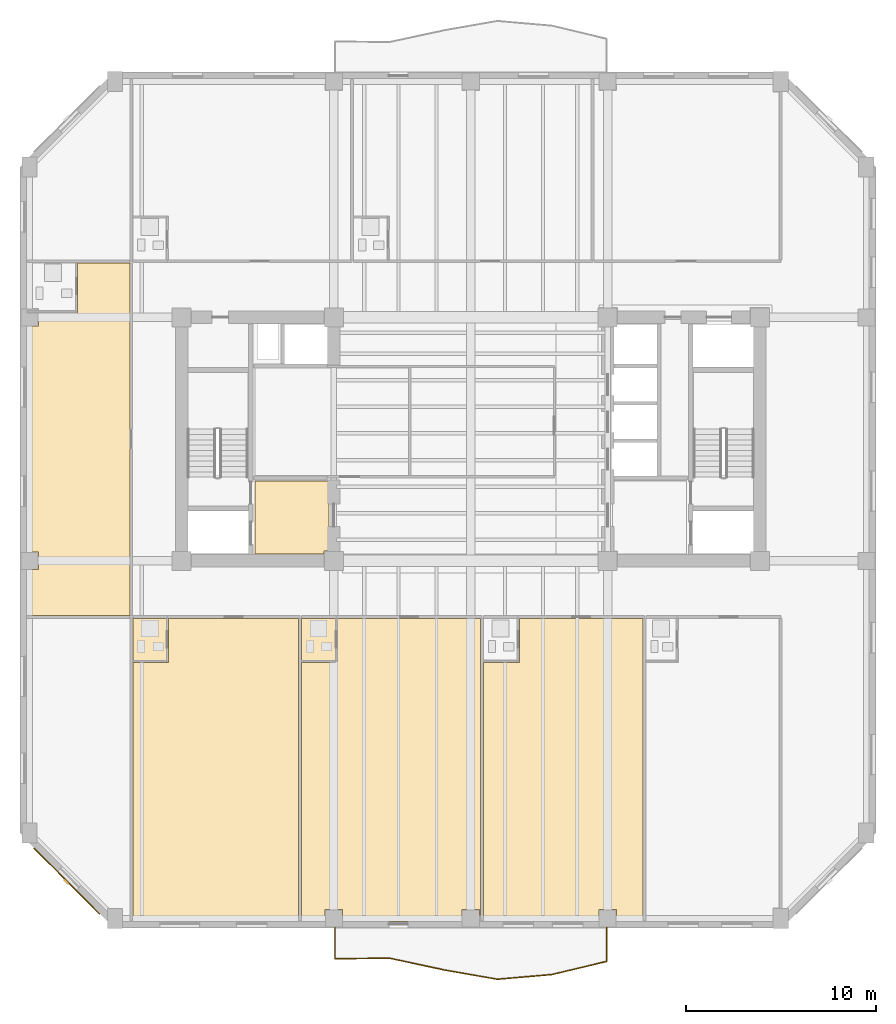
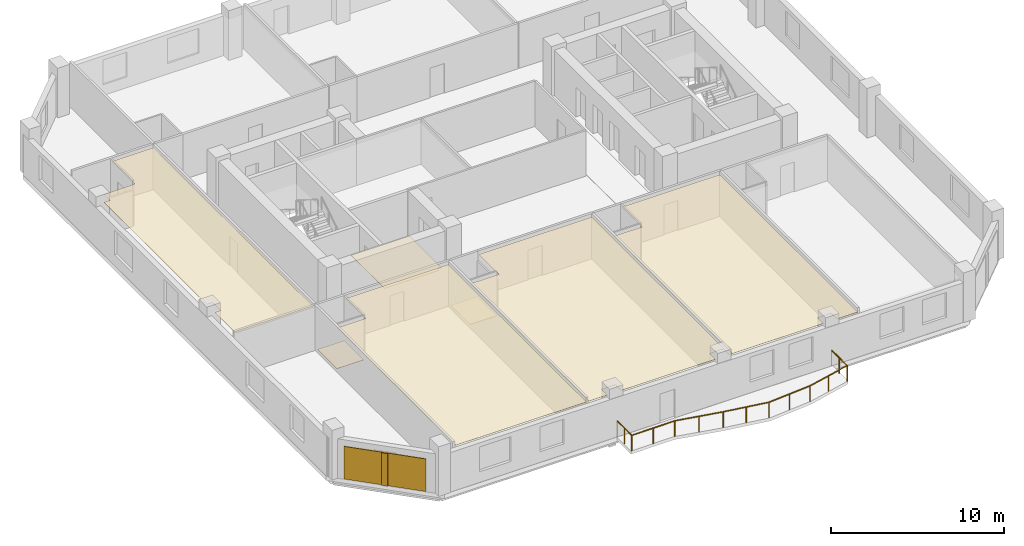
# One storey, part 6 of 10: 8 coverings, 1 railing, 1 shading device.
"""IFC4 building model written with IfcOpenShell, lengths in metres."""

from ifc_helpers import new_model, si_unit, direction, frame, origin, origin_2d, place, context, subcontext, project, spatial, polyline, rectangle, circle, outline, extrude, material, layer, layer_set, type_object, element, save


model = new_model("IFC4")

# Units and contexts
model_context = context("Model", 3, precision=1e-05, world=origin(), true_north=direction((0.0, 1.0)))
body_context = subcontext(model_context, "Body", "Model", "MODEL_VIEW")
ifc_project = project(units=[si_unit("LENGTHUNIT", "METRE"), si_unit("AREAUNIT", "SQUARE_METRE"), si_unit("VOLUMEUNIT", "CUBIC_METRE"), si_unit("PLANEANGLEUNIT", "RADIAN"), si_unit("MASSUNIT", "GRAM", prefix="KILO")], contexts=[model_context])

# Site, building, storey
site_placement = place(None, origin())
site = spatial("IfcSite", under=ifc_project, at=site_placement, CompositionType="ELEMENT")
building_placement = place(site_placement, origin())
building = spatial("IfcBuilding", under=site, at=building_placement, Name="Kranthara Brick Stack", CompositionType="ELEMENT")
storey_placement = place(building_placement, frame((0.0, 0.0, 127.300048828125)))
storey = spatial("IfcBuildingStorey", under=building, at=storey_placement, Name="L31", CompositionType="ELEMENT", Elevation=127.300048828125)

# Coverings
ifc_material_1 = material(Name="Perforated mineral-fibre acoustic ceiling tile", Category="other")
ifc_layer_1 = layer(ifc_material_1, 0.02490234375)
ifc_layer_set_1 = layer_set([ifc_layer_1], Name="Perforated mineral-fibre acoustic ceiling tile")
covering_type_1 = type_object("IfcCoveringType", Name="COV-CEIL-ACOUSTIC", PredefinedType="CEILING", material=ifc_layer_set_1)
covering_1_placement = place(storey_placement, frame((0.0, 0.0, 2.929931640625)))
element("IfcCovering", 1, at=covering_1_placement, inside=storey, type_object=covering_type_1, Name="L31 Room L31-01 Corner Junior Suite Acoustic Ceiling", PredefinedType="CEILING", context=body_context, shape_type="SweptSolid", body=[
    extrude(outline(polyline([(10.22998046875, 1.800048828125), (18.948974609375, 1.800048828125), (18.948974609375, 17.77001953125), (12.110107421875, 17.77001953125), (12.110107421875, 15.4599609375), (10.22998046875, 15.4599609375), (10.22998046875, 1.800048828125)])), origin(), (0.0, 0.0, 1.0), 0.02490234375),
])
covering_2_placement = place(storey_placement, frame((0.0, 0.0, 2.929931640625)))
element("IfcCovering", 2, at=covering_2_placement, inside=storey, type_object=covering_type_1, Name="L31 Room L31-02 Corner Junior Suite Acoustic Ceiling", PredefinedType="CEILING", context=body_context, shape_type="SweptSolid", body=[
    extrude(outline(polyline([(19.10888671875, 15.4599609375), (20.989013671875, 15.4599609375), (20.989013671875, 17.77001953125), (28.510986328125, 17.77001953125), (28.510986328125, 1.800048828125), (28.4599609375, 1.800048828125), (28.4599609375, 2.4599609375), (27.5400390625, 2.4599609375), (27.5400390625, 1.800048828125), (21.260009765625, 1.800048828125), (21.260009765625, 2.4599609375), (20.340087890625, 2.4599609375), (20.340087890625, 1.800048828125), (19.10888671875, 1.800048828125), (19.10888671875, 15.4599609375)])), origin(), (0.0, 0.0, 1.0), 0.02490234375),
])
covering_3_placement = place(storey_placement, frame((0.0, 0.0, 2.929931640625)))
element("IfcCovering", 3, at=covering_3_placement, inside=storey, type_object=covering_type_1, Name="L31 Room L31-03 Corner Junior Suite Acoustic Ceiling", PredefinedType="CEILING", context=body_context, shape_type="SweptSolid", body=[
    extrude(outline(polyline([(28.6708984375, 1.800048828125), (28.6708984375, 15.4599609375), (30.551025390625, 15.4599609375), (30.551025390625, 17.77001953125), (37.049072265625, 17.77001953125), (37.049072265625, 1.800048828125), (35.659912109375, 1.800048828125), (35.659912109375, 2.4599609375), (34.739990234375, 2.4599609375), (34.739990234375, 1.800048828125), (28.6708984375, 1.800048828125)])), origin(), (0.0, 0.0, 1.0), 0.02490234375),
])
covering_4_placement = place(storey_placement, frame((0.0, 0.0, 2.929931640625)))
element("IfcCovering", 4, at=covering_4_placement, inside=storey, type_object=covering_type_1, Name="L31 Room L31-08 Corner Junior Suite Acoustic Ceiling", PredefinedType="CEILING", context=body_context, shape_type="SweptSolid", body=[
    extrude(outline(polyline([(7.330078125, 33.840087890625), (7.330078125, 36.469970703125), (10.080078125, 36.469970703125), (10.080078125, 17.929931640625), (4.8701171875, 17.929931640625), (4.8701171875, 20.340087890625), (5.260009765625, 20.340087890625), (5.260009765625, 21.260009765625), (4.8701171875, 21.260009765625), (4.8701171875, 33.139892578125), (5.260009765625, 33.139892578125), (5.260009765625, 33.840087890625), (7.330078125, 33.840087890625)])), origin(), (0.0, 0.0, 1.0), 0.02490234375),
])
ifc_material_2 = material(Name="Warm buff kiln-fired brick slip rainscreen", Category="masonry")
ifc_layer_2 = layer(ifc_material_2, 0.044921875)
ifc_layer_set_2 = layer_set([ifc_layer_2], Name="Warm buff kiln-fired brick slip rainscreen")
covering_type_2 = type_object("IfcCoveringType", Name="COV-CLAD-BRICK", PredefinedType="CLADDING", material=ifc_layer_set_2)
covering_5_placement = place(storey_placement, frame((6.759521484375, 3.959716796875, 0.0498046875), z_axis=(0.0, 0.0, 1.0), x_axis=(-0.707106781187, 0.707106781187, 0.0)))
element("IfcCovering", 5, at=covering_5_placement, inside=storey, type_object=covering_type_2, Name="L31 Chamfer Brick Rainscreen Cladding SW", PredefinedType="CLADDING", context=body_context, shape_type="SweptSolid", body=[
    extrude(rectangle(XDim=4.89306640625, YDim=0.044921875, at=origin_2d()), origin(), (0.0, 0.0, 1.0), 2.300048828125),
])
ifc_material_3 = material(Name="Honed terrazzo and porcelain floor finish", Category="stone")
ifc_layer_3 = layer(ifc_material_3, 0.030029296875)
ifc_layer_set_3 = layer_set([ifc_layer_3], Name="Honed terrazzo and porcelain floor finish")
covering_type_3 = type_object("IfcCoveringType", Name="COV-FLOR-STONE", PredefinedType="FLOORING", material=ifc_layer_set_3)
covering_6_placement = place(storey_placement, origin())
element("IfcCovering", 6, at=covering_6_placement, inside=storey, type_object=covering_type_3, Name="L31 Lift Lobby Stone Flooring", PredefinedType="FLOORING", context=body_context, shape_type="SweptSolid", body=[
    extrude(outline(polyline([(16.64990234375, 21.14990234375), (16.64990234375, 25.0), (20.550048828125, 25.0), (20.550048828125, 21.31005859375), (20.2900390625, 21.31005859375), (20.2900390625, 21.14990234375), (16.64990234375, 21.14990234375)])), origin(), (0.0, 0.0, 1.0), 0.030029296875),
])
covering_7_placement = place(storey_placement, origin())
element("IfcCovering", 7, at=covering_7_placement, inside=storey, type_object=covering_type_3, Name="L31 Wet Room Porcelain Flooring", PredefinedType="FLOORING", context=body_context, shape_type="SweptSolid", body=[
    extrude(outline(polyline([(10.22998046875, 15.52001953125), (10.22998046875, 17.77001953125), (12.010009765625, 17.77001953125), (12.010009765625, 15.52001953125), (10.22998046875, 15.52001953125)])), origin(), (0.0, 0.0, 1.0), 0.030029296875),
])
covering_8_placement = place(storey_placement, origin())
element("IfcCovering", 8, at=covering_8_placement, inside=storey, type_object=covering_type_3, Name="L31 Wet Room Porcelain Flooring", PredefinedType="FLOORING", context=body_context, shape_type="SweptSolid", body=[
    extrude(outline(polyline([(19.10888671875, 15.52001953125), (19.10888671875, 17.77001953125), (20.888916015625, 17.77001953125), (20.888916015625, 15.52001953125), (19.10888671875, 15.52001953125)])), origin(), (0.0, 0.0, 1.0), 0.030029296875),
])

# Railing
ifc_material_4 = material(Name="Bronze anodised aluminium and laminated glass balustrade", Category="aluminium")
railing_type = type_object("IfcRailingType", Name="RL-BALC-1120", PredefinedType="BALUSTRADE", material=ifc_material_4)
railing_placement = place(storey_placement, frame((35.139892578125, 1.56005859375, 0.0)))
element("IfcRailing", 9, at=railing_placement, inside=storey, type_object=railing_type, Name="L31 South Rippling Balcony Balustrade", PredefinedType="BALUSTRADE", context=body_context, shape_type="SweptSolid", body=[
    extrude(circle(Radius=0.02392578125, at=origin_2d()), frame((0.0, 0.0, 1.09619140625), z_axis=(0.0, -1.0, 0.0), x_axis=(1.0, 0.0, 0.0)), (0.0, 0.0, 1.0), 1.824462890625),
    extrude(circle(Radius=0.02392578125, at=origin_2d()), frame((0.0, -1.824462890625, 1.09619140625), z_axis=(-0.972459124894, -0.233073487147, 0.0), x_axis=(0.233073487147, -0.972459124894, 0.0)), (0.0, 0.0, 1.0), 2.960205078125),
    extrude(circle(Radius=0.02392578125, at=origin_2d()), frame((-2.878662109375, -2.514404296875, 1.09619140625), z_axis=(-0.996359012869, -0.08525677377, 0.0), x_axis=(0.08525677377, -0.996359012869, 0.0)), (0.0, 0.0, 1.0), 2.8779296875),
    extrude(circle(Radius=0.02392578125, at=origin_2d()), frame((-5.74609375, -2.759765625, 1.09619140625), z_axis=(-0.984977167835, 0.172684622486, 0.0), x_axis=(-0.172684622486, -0.984977167835, 0.0)), (0.0, 0.0, 1.0), 2.822021484375),
    extrude(circle(Radius=0.02392578125, at=origin_2d()), frame((-8.525634765625, -2.2724609375, 1.09619140625), z_axis=(-0.977747689302, 0.209784308433, 0.0), x_axis=(-0.209784308433, -0.977747689302, 0.0)), (0.0, 0.0, 1.0), 2.939697265625),
    extrude(circle(Radius=0.02392578125, at=origin_2d()), frame((-11.39990234375, -1.65576171875, 1.09619140625), z_axis=(-0.999967571522, -0.008053316319, 0.0), x_axis=(0.008053316319, -0.999967571522, 0.0)), (0.0, 0.0, 1.0), 2.8798828125),
    extrude(circle(Radius=0.02392578125, at=origin_2d()), frame((-14.27978515625, -1.678955078125, 1.09619140625), z_axis=(0.0, 1.0, 0.0), x_axis=(-1.0, 0.0, 0.0)), (0.0, 0.0, 1.0), 1.678955078125),
    extrude(circle(Radius=0.02099609375, at=origin_2d()), origin(), (0.0, 0.0, 1.0), 1.072021484375),
    extrude(circle(Radius=0.02099609375, at=origin_2d()), frame((0.0, -0.912109375, 0.0)), (0.0, 0.0, 1.0), 1.072021484375),
    extrude(circle(Radius=0.02099609375, at=origin_2d()), frame((0.0, -1.824462890625, 0.0)), (0.0, 0.0, 1.0), 1.072021484375),
    extrude(circle(Radius=0.02099609375, at=origin_2d()), frame((-1.439453125, -2.16943359375, 0.0)), (0.0, 0.0, 1.0), 1.072021484375),
    extrude(circle(Radius=0.02099609375, at=origin_2d()), frame((-2.878662109375, -2.514404296875, 0.0)), (0.0, 0.0, 1.0), 1.072021484375),
    extrude(circle(Radius=0.02099609375, at=origin_2d()), frame((-4.3125, -2.63720703125, 0.0)), (0.0, 0.0, 1.0), 1.072021484375),
    extrude(circle(Radius=0.02099609375, at=origin_2d()), frame((-5.74609375, -2.759765625, 0.0)), (0.0, 0.0, 1.0), 1.072021484375),
    extrude(circle(Radius=0.02099609375, at=origin_2d()), frame((-7.1357421875, -2.51611328125, 0.0)), (0.0, 0.0, 1.0), 1.072021484375),
    extrude(circle(Radius=0.02099609375, at=origin_2d()), frame((-8.525634765625, -2.2724609375, 0.0)), (0.0, 0.0, 1.0), 1.072021484375),
    extrude(circle(Radius=0.02099609375, at=origin_2d()), frame((-9.962890625, -1.964111328125, 0.0)), (0.0, 0.0, 1.0), 1.072021484375),
    extrude(circle(Radius=0.02099609375, at=origin_2d()), frame((-11.39990234375, -1.65576171875, 0.0)), (0.0, 0.0, 1.0), 1.072021484375),
    extrude(circle(Radius=0.02099609375, at=origin_2d()), frame((-12.83984375, -1.66748046875, 0.0)), (0.0, 0.0, 1.0), 1.072021484375),
    extrude(circle(Radius=0.02099609375, at=origin_2d()), frame((-14.27978515625, -1.678955078125, 0.0)), (0.0, 0.0, 1.0), 1.072021484375),
    extrude(circle(Radius=0.02099609375, at=origin_2d()), frame((-14.27978515625, -0.83935546875, 0.0)), (0.0, 0.0, 1.0), 1.072021484375),
    extrude(circle(Radius=0.02099609375, at=origin_2d()), frame((-14.27978515625, 0.0, 0.0)), (0.0, 0.0, 1.0), 1.072021484375),
])

# Shading device
ifc_material_5 = material(Name="Kiln-fired terracotta aerodynamic wind fin", Category="masonry")
shading_device_type = type_object("IfcShadingDeviceType", Name="SHD-BAFFLE-CORNER", PredefinedType="SHUTTER", material=ifc_material_5)
shading_device_placement = place(storey_placement, frame((6.73828125, 3.9384765625, 0.0498046875), z_axis=(0.0, 0.0, 1.0), x_axis=(-0.707106781187, 0.707106781187, 0.0)))
element("IfcShadingDevice", 10, at=shading_device_placement, inside=storey, type_object=shading_device_type, Name="L31 Chamfer Wind-Baffle Fin SW", PredefinedType="SHUTTER", context=body_context, shape_type="SweptSolid", body=[
    extrude(rectangle(XDim=0.35009765625, YDim=0.1201171875, at=origin_2d()), origin(), (0.0, 0.0, 1.0), 2.300048828125),
])

save(model, "model.ifc")
